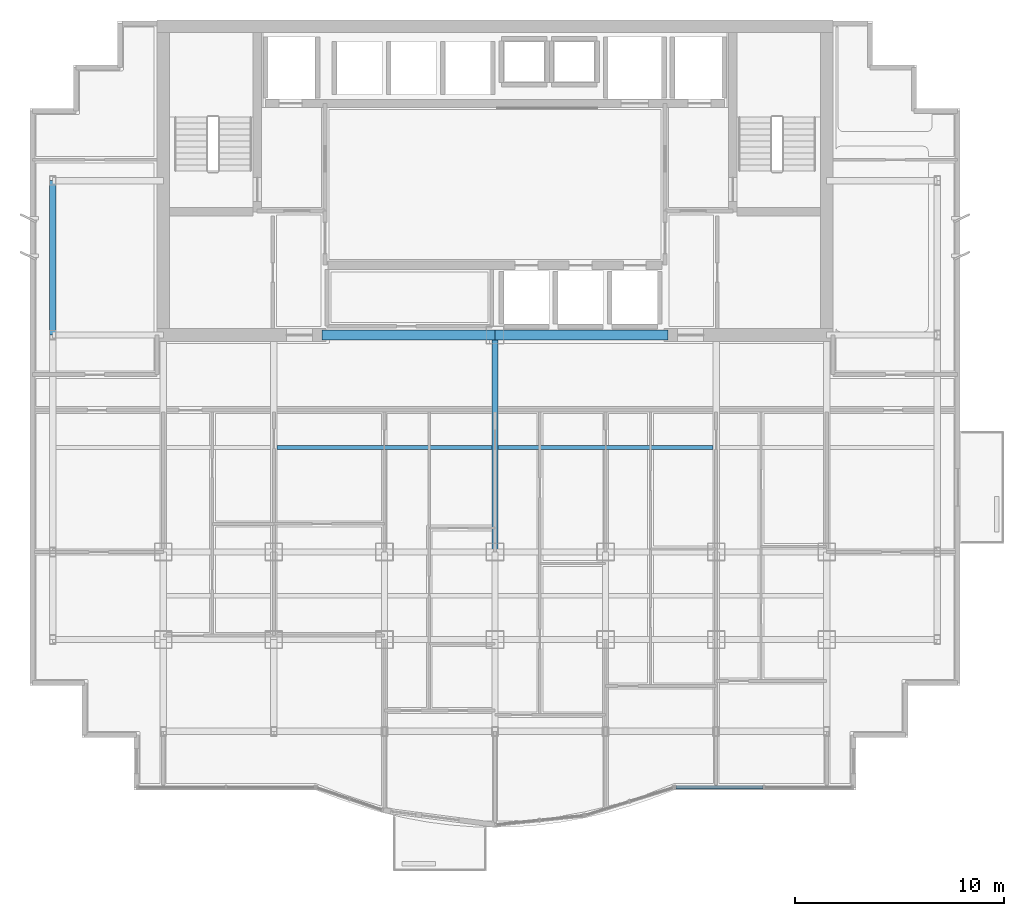
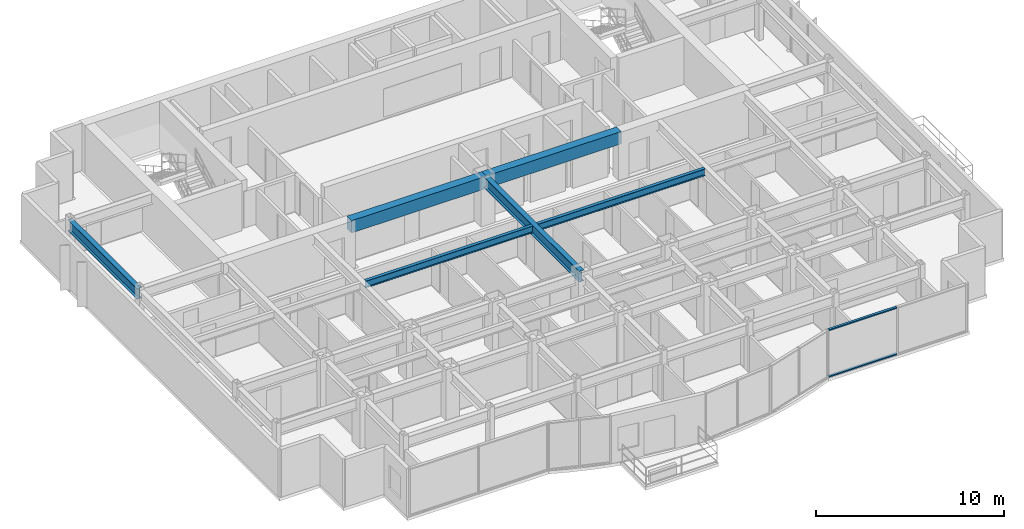
# One storey, part 3 of 11: 6 beams, 2 members, 1 element without a shape of its own.
"""IFC4 building model written with IfcOpenShell, lengths in metres."""

from ifc_helpers import new_model, si_unit, direction, frame, origin, origin_2d, place, context, subcontext, project, spatial, rectangle, i_section, extrude, source, transform, mapped, material, layer, layer_set, material_profile, profile_set, type_object, element, aggregate, save


model = new_model("IFC4")

# Units and contexts
model_context = context("Model", 3, precision=1e-05, world=origin(), true_north=direction((0.0, 1.0)))
body_context = subcontext(model_context, "Body", "Model", "MODEL_VIEW")
ifc_project = project(units=[si_unit("LENGTHUNIT", "METRE"), si_unit("AREAUNIT", "SQUARE_METRE"), si_unit("VOLUMEUNIT", "CUBIC_METRE"), si_unit("PLANEANGLEUNIT", "RADIAN"), si_unit("MASSUNIT", "GRAM", prefix="KILO")], contexts=[model_context])

# Site, building, storey
site_placement = place(None, origin())
site = spatial("IfcSite", under=ifc_project, at=site_placement, CompositionType="ELEMENT")
building_placement = place(site_placement, origin())
building = spatial("IfcBuilding", under=site, at=building_placement, Name="Qianlan Lanfeng Residences", CompositionType="ELEMENT")
storey_placement = place(building_placement, frame((0.0, 0.0, 168.89990234375)))
storey = spatial("IfcBuildingStorey", under=building, at=storey_placement, Name="L46", CompositionType="ELEMENT", Elevation=168.89990234375)

# Beams
ifc_material_1 = material(Name="Steel SN490B", Category="steel")
ifc_material_profile_1 = material_profile(ifc_material_1, i_section(OverallWidth=0.300048828125, OverallDepth=0.699951171875, WebThickness=0.012939453125, FlangeThickness=0.02392578125, at=origin_2d()), Name="H 700x300x13x24")
ifc_profile_set_1 = profile_set([ifc_material_profile_1], Name="Steel SN490B")
beam_type_1 = type_object("IfcBeamType", Name="G-750", PredefinedType="BEAM", material=ifc_profile_set_1)
beam_1_placement = place(storey_placement, frame((26.5, 14.800048828125, 2.75), z_axis=(0.0, 1.0, 0.0), x_axis=(-1.0, 0.0, 0.0)))
element("IfcBeam", 1, at=beam_1_placement, inside=storey, type_object=beam_type_1, Name="Structural beam G-750", PredefinedType="BEAM", context=body_context, shape_type="SweptSolid", body=[
    extrude(i_section(OverallWidth=0.300048828125, OverallDepth=0.699951171875, WebThickness=0.012939453125, FlangeThickness=0.02392578125, at=origin_2d()), origin(), (0.0, 0.0, 1.0), 10.39990234375),
])
ifc_material_profile_2 = material_profile(ifc_material_1, i_section(OverallWidth=0.199951171875, OverallDepth=0.449951171875, WebThickness=0.009033203125, FlangeThickness=0.013916015625, at=origin_2d()), Name="H 450x200x9x14")
ifc_profile_set_2 = profile_set([ifc_material_profile_2], Name="Steel SN490B")
beam_type_2 = type_object("IfcBeamType", Name="J-450", PredefinedType="JOIST", material=ifc_profile_set_2)
for number, where, z_axis, x_axis, name in (
    (2, (16.050048828125, 19.800048828125, 2.875), (1.0, 0.0, 0.0), (0.0, 1.0, 0.0), "Structural beam J-450"),
    (3, (26.64990234375, 19.800048828125, 2.875), (1.0, 0.0, 0.0), (0.0, 1.0, 0.0), "Structural beam J-450"),
):
    element("IfcBeam", number, at=place(storey_placement, frame(where, z_axis=z_axis, x_axis=x_axis)), inside=storey, type_object=beam_type_2, Name=name, PredefinedType="JOIST", context=body_context, shape_type="SweptSolid", body=[
        extrude(i_section(OverallWidth=0.199951171875, OverallDepth=0.449951171875, WebThickness=0.009033203125, FlangeThickness=0.013916015625, at=origin_2d()), origin(), (0.0, 0.0, 1.0), 10.300048828125),
    ])
ifc_material_2 = material(Name="Concrete C49", Category="concrete")
ifc_material_profile_3 = material_profile(ifc_material_2, rectangle(XDim=0.5, YDim=0.800048828125, at=origin_2d()), Name="RC 500x800")
ifc_profile_set_3 = profile_set([ifc_material_profile_3], Name="Concrete C49")
beam_type_3 = type_object("IfcBeamType", Name="LB-RC750", PredefinedType="BEAM", material=ifc_profile_set_3)
for number, where, z_axis, x_axis, name in (
    (4, (18.199951171875, 25.199951171875, 2.7001953125), (1.0, 0.0, 0.0), (0.0, 1.0, 0.0), "L46 Core Coupling Beam W"),
    (5, (26.5, 25.199951171875, 2.7001953125), (1.0, 0.0, 0.0), (0.0, 1.0, 0.0), "L46 Core Coupling Beam E"),
):
    element("IfcBeam", number, at=place(storey_placement, frame(where, z_axis=z_axis, x_axis=x_axis)), inside=storey, type_object=beam_type_3, Name=name, PredefinedType="BEAM", context=body_context, shape_type="SweptSolid", body=[
        extrude(rectangle(XDim=0.5, YDim=0.800048828125, at=origin_2d()), origin(), (0.0, 0.0, 1.0), 8.300048828125),
    ])
ifc_material_profile_4 = material_profile(ifc_material_1, i_section(OverallWidth=0.300048828125, OverallDepth=0.699951171875, WebThickness=0.012939453125, FlangeThickness=0.02392578125, at=origin_2d()), Name="H 700x300x13x24")
ifc_profile_set_4 = profile_set([ifc_material_profile_4], Name="Steel SN490B")
beam_type_4 = type_object("IfcBeamType", Name="SG-750", PredefinedType="SPANDREL", material=ifc_profile_set_4)
beam_2_placement = place(storey_placement, frame((5.300048828125, 25.199951171875, 2.739990234375), z_axis=(0.0, 1.0, 0.0), x_axis=(-1.0, 0.0, 0.0)))
element("IfcBeam", 6, at=beam_2_placement, inside=storey, type_object=beam_type_4, Name="Structural beam SG-750", PredefinedType="SPANDREL", context=body_context, shape_type="SweptSolid", body=[
    extrude(i_section(OverallWidth=0.300048828125, OverallDepth=0.699951171875, WebThickness=0.012939453125, FlangeThickness=0.02392578125, at=origin_2d()), origin(), (0.0, 0.0, 1.0), 7.400146484375),
])

# Curtain wall, members
ifc_material_3 = material(Name="Anodised Bronze Aluminium 6063-T6", Category="aluminium")
ifc_layer = layer(ifc_material_3, 0.219970703125)
ifc_layer_set = layer_set([ifc_layer], Name="Anodised Bronze Aluminium 6063-T6")
curtain_wall_type = type_object("IfcCurtainWallType", Name="CW-04", PredefinedType="NOTDEFINED", material=ifc_layer_set)
curtain_wall_placement = place(storey_placement, origin())
curtain_wall = element("IfcCurtainWall", 7, at=curtain_wall_placement, inside=storey, type_object=curtain_wall_type, Name="L46 Unitised Curtain Wall CWR-L46-05 (CW-04)", PredefinedType="NOTDEFINED")
ifc_material_profile_5 = material_profile(ifc_material_3, rectangle(XDim=0.074951171875, YDim=0.14990234375, at=origin_2d()), Name="ALU TRANSOM 75x150")
ifc_profile_set_5 = profile_set([ifc_material_profile_5], Name="Anodised Bronze Aluminium 6063-T6")
member_type = type_object("IfcMemberType", Name="CWT-150", PredefinedType="USERDEFINED", material=ifc_profile_set_5)
shared_shape = source(origin(), body_context, "Body", "SweptSolid", [
    extrude(rectangle(XDim=0.074951171875, YDim=0.14990234375, at=origin_2d()), origin(), (0.0, 0.0, 1.0), 4.178955078125),
])
member_1_placement = place(storey_placement, frame((35.172119140625, 3.52001953125, 0.03759765625), z_axis=(1.0, 0.0, 0.0), x_axis=(0.0, 0.0, 1.0)))
member_1 = element("IfcMember", 8, at=member_1_placement, type_object=member_type, Name="CWR-L46-05 Transom 1-BOT", ObjectType="TRANSOM", PredefinedType="USERDEFINED", context=body_context, shape_type="MappedRepresentation", body=[
    mapped(shared_shape, transform((0.0, 0.0, 0.0), scale=1.0)),
])
member_2_placement = place(storey_placement, frame((35.172119140625, 3.52001953125, 3.0625), z_axis=(1.0, 0.0, 0.0), x_axis=(0.0, 0.0, 1.0)))
member_2 = element("IfcMember", 9, at=member_2_placement, type_object=member_type, Name="CWR-L46-05 Transom 1-TOP", ObjectType="TRANSOM", PredefinedType="USERDEFINED", context=body_context, shape_type="MappedRepresentation", body=[
    mapped(shared_shape, transform((0.0, 0.0, 0.0), scale=1.0)),
])
aggregate(curtain_wall, [member_1, member_2])

save(model, "model.ifc")
